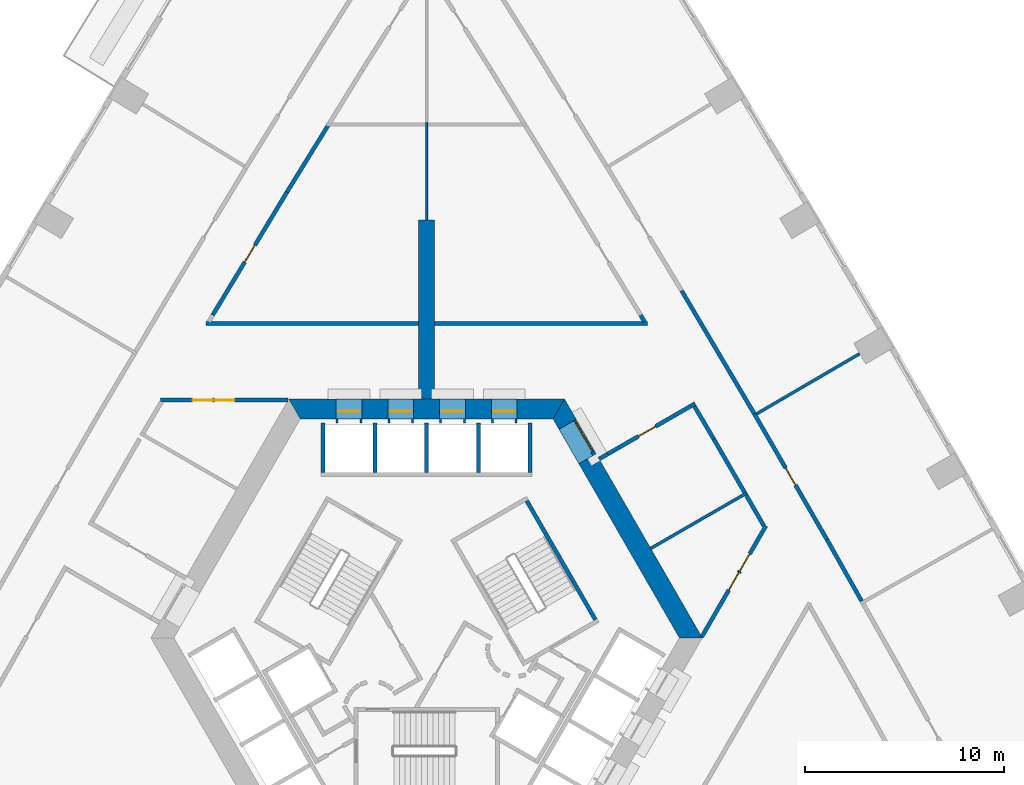
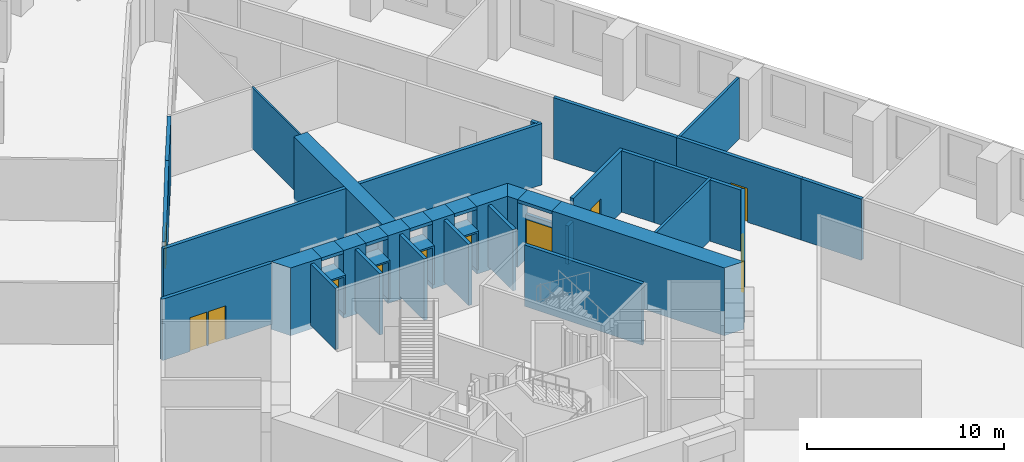
# One storey, part 9 of 15: 42 walls, 12 doors, 12 openings.
"""IFC4 building model written with IfcOpenShell, lengths in metres."""

from ifc_helpers import new_model, si_unit, direction, frame, frame_2d, origin, place, context, subcontext, project, spatial, polyline, rectangle, outline, extrude, material, layer, layer_set, type_object, element, fill, save


model = new_model("IFC4")

# Units and contexts
model_context = context("Model", 3, precision=1e-05, world=origin(), true_north=direction((0.0, 1.0)))
body_context = subcontext(model_context, "Body", "Model", "MODEL_VIEW")
ifc_project = project(units=[si_unit("LENGTHUNIT", "METRE"), si_unit("AREAUNIT", "SQUARE_METRE"), si_unit("VOLUMEUNIT", "CUBIC_METRE"), si_unit("PLANEANGLEUNIT", "RADIAN"), si_unit("MASSUNIT", "GRAM", prefix="KILO")], contexts=[model_context])

# Site, building, storey
site_placement = place(None, origin())
site = spatial("IfcSite", under=ifc_project, at=site_placement, CompositionType="ELEMENT")
building_placement = place(site_placement, origin())
building = spatial("IfcBuilding", under=site, at=building_placement, Name="Entoto Arch Interchange Tower", CompositionType="ELEMENT")
storey_placement = place(building_placement, frame((0.0, 0.0, 56.0)))
storey = spatial("IfcBuildingStorey", under=building, at=storey_placement, Name="L11", CompositionType="ELEMENT", Elevation=56.0)

# Wall
ifc_material_1 = material(Name="Concrete C60/75", Category="concrete")
ifc_layer_1 = layer(ifc_material_1, 0.800048828125)
ifc_layer_set_1 = layer_set([ifc_layer_1], Name="Concrete C60/75")
wall_type_1 = type_object("IfcWallType", Name="Buttress wall 800 C60/75", PredefinedType="SHEAR", material=ifc_layer_set_1)
wall_1_placement = place(storey_placement, frame((0.0, 14.5, -0.39990234375), z_axis=(0.0, 0.0, 1.0), x_axis=(0.0, 1.0, 0.0)))
element("IfcWall", 1, at=wall_1_placement, inside=storey, type_object=wall_type_1, Name="Buttress wall N L11", PredefinedType="SHEAR", context=body_context, shape_type="SweptSolid", body=[
    extrude(rectangle(XDim=9.0, YDim=0.800048828125, at=frame_2d((4.5, 0.0))), origin(), (0.0, 0.0, 1.0), 4.199951171875),
])

# Wall, opening, door
ifc_material_2 = material(Name="Reinforced concrete C40/50", Category="concrete")
ifc_layer_2 = layer(ifc_material_2, 0.199951171875)
ifc_layer_set_2 = layer_set([ifc_layer_2], Name="Reinforced concrete C40/50")
wall_type_2 = type_object("IfcWallType", Name="CORE GAP INFILL WALL", PredefinedType="PARTITIONING", material=ifc_layer_set_2)
wall_2_placement = place(storey_placement, frame((8.429931640625, 11.697998046875, 0.0), z_axis=(0.0, 0.0, 1.0), x_axis=(-0.50002537861, 0.866010750942, 0.0)))
wall_2 = element("IfcWall", 2, at=wall_2_placement, inside=storey, type_object=wall_type_2, Name="wall:L11:gap2", PredefinedType="PARTITIONING", context=body_context, shape_type="SweptSolid", body=[
    extrude(rectangle(XDim=2.0, YDim=0.199951171875, at=frame_2d((1.0, 0.0))), origin(), (0.0, 0.0, 1.0), 2.39990234375),
])
opening_1_placement = place(wall_2_placement, frame((0.18994140625, 0.0, 0.0)))
opening_1 = element("IfcOpeningElement", 3, at=opening_1_placement, cuts=wall_2, Name="Opening L11-D92", PredefinedType="OPENING", context=body_context, shape_type="SweptSolid", body=[
    extrude(rectangle(XDim=1.800048828125, YDim=2.10009765625, at=frame_2d((0.89990234375, 1.050048828125))), frame((0.0, 0.10986328125, 0.0), z_axis=(0.0, -1.0, 0.0), x_axis=(1.0, 0.0, 0.0)), (0.0, 0.0, 1.0), 0.219970703125),
])
ifc_material_3 = material(Name="Fire-rated Steel S235 door and frame", Category="steel")
door_type_1 = type_object("IfcDoorType", Name="DOOR FD-18 1800x2100", OperationType="DOUBLE_DOOR_SINGLE_SWING", PredefinedType="DOOR", material=ifc_material_3)
door_1_placement = place(opening_1_placement, origin())
door_1 = element("IfcDoor", 4, at=door_1_placement, inside=storey, type_object=door_type_1, Name="door:L11:gap2", OperationType="DOUBLE_DOOR_SINGLE_SWING", OverallHeight=2.10009765625, OverallWidth=1.800048828125, PredefinedType="DOOR", context=body_context, shape_type="SweptSolid", body=[
    extrude(rectangle(XDim=1.800048828125, YDim=2.10009765625, at=frame_2d((0.89990234375, 1.050048828125))), frame((0.0, 0.02490234375, 0.0), z_axis=(0.0, -1.0, 0.0), x_axis=(1.0, 0.0, 0.0)), (0.0, 0.0, 1.0), 0.050048828125),
])
fill(opening_1, door_1)

# Walls
ifc_layer_3 = layer(ifc_material_1, 1.0)
ifc_layer_set_3 = layer_set([ifc_layer_3], Name="Concrete C60/75")
wall_type_3 = type_object("IfcWallType", Name="Core wall 1000 C60/75", PredefinedType="SHEAR", material=ifc_layer_set_3)
wall_3_placement = place(storey_placement, frame((0.0, 0.0, -0.39990234375)))
element("IfcWall", 5, at=wall_3_placement, inside=storey, type_object=wall_type_3, Name="Core wall NE L11", PredefinedType="SHEAR", context=body_context, shape_type="SweptSolid", body=[
    extrude(outline(polyline([(8.51708984375, 11.748046875), (7.65087890625, 11.248046875), (12.701904296875, 2.5), (13.85595703125, 2.5), (8.51708984375, 11.748046875)])), origin(), (0.0, 0.0, 1.0), 4.199951171875),
])
wall_4_placement = place(storey_placement, frame((0.0, 0.0, -0.39990234375)))
element("IfcWall", 6, at=wall_4_placement, inside=storey, type_object=wall_type_3, Name="Core wall NE L11", PredefinedType="SHEAR", context=body_context, shape_type="SweptSolid", body=[
    extrude(outline(polyline([(6.65087890625, 12.97998046875), (7.51708984375, 13.47998046875), (6.927978515625, 14.5), (6.35107421875, 13.5), (6.65087890625, 12.97998046875)])), origin(), (0.0, 0.0, 1.0), 4.199951171875),
])
wall_5_placement = place(storey_placement, frame((0.0, 0.0, 3.60009765625)))
element("IfcWall", 7, at=wall_5_placement, inside=storey, type_object=wall_type_3, Name="Core wall lintel NE L11", PredefinedType="SHEAR", context=body_context, shape_type="SweptSolid", body=[
    extrude(outline(polyline([(7.51708984375, 13.47998046875), (6.65087890625, 12.97998046875), (7.65087890625, 11.248046875), (8.51708984375, 11.748046875), (7.51708984375, 13.47998046875)])), origin(), (0.0, 0.0, 1.0), 0.199951171875),
])
wall_6_placement = place(storey_placement, frame((0.0, 0.0, -0.39990234375)))
element("IfcWall", 8, at=wall_6_placement, inside=storey, type_object=wall_type_3, Name="Core wall N L11", PredefinedType="SHEAR", context=body_context, shape_type="SweptSolid", body=[
    extrude(outline(polyline([(4.550048828125, 14.5), (4.550048828125, 13.5), (6.35107421875, 13.5), (6.927978515625, 14.5), (4.550048828125, 14.5)])), origin(), (0.0, 0.0, 1.0), 4.199951171875),
])
wall_7_placement = place(storey_placement, frame((0.0, 0.0, -0.39990234375)))
element("IfcWall", 9, at=wall_7_placement, inside=storey, type_object=wall_type_3, Name="Core wall N L11", PredefinedType="SHEAR", context=body_context, shape_type="SweptSolid", body=[
    extrude(outline(polyline([(1.949951171875, 14.5), (1.949951171875, 13.5), (3.25, 13.5), (3.25, 14.5), (1.949951171875, 14.5)])), origin(), (0.0, 0.0, 1.0), 4.199951171875),
])
wall_8_placement = place(storey_placement, frame((0.0, 0.0, -0.39990234375)))
element("IfcWall", 10, at=wall_8_placement, inside=storey, type_object=wall_type_3, Name="Core wall N L11", PredefinedType="SHEAR", context=body_context, shape_type="SweptSolid", body=[
    extrude(outline(polyline([(-0.64990234375, 14.5), (-0.64990234375, 13.5), (0.64990234375, 13.5), (0.64990234375, 14.5), (-0.64990234375, 14.5)])), origin(), (0.0, 0.0, 1.0), 4.199951171875),
])
wall_9_placement = place(storey_placement, frame((0.0, 0.0, -0.39990234375)))
element("IfcWall", 11, at=wall_9_placement, inside=storey, type_object=wall_type_3, Name="Core wall N L11", PredefinedType="SHEAR", context=body_context, shape_type="SweptSolid", body=[
    extrude(outline(polyline([(-3.25, 14.5), (-3.25, 13.5), (-1.949951171875, 13.5), (-1.949951171875, 14.5), (-3.25, 14.5)])), origin(), (0.0, 0.0, 1.0), 4.199951171875),
])
wall_10_placement = place(storey_placement, frame((0.0, 0.0, -0.39990234375)))
element("IfcWall", 12, at=wall_10_placement, inside=storey, type_object=wall_type_3, Name="Core wall N L11", PredefinedType="SHEAR", context=body_context, shape_type="SweptSolid", body=[
    extrude(outline(polyline([(-4.550048828125, 13.5), (-4.550048828125, 14.5), (-6.927978515625, 14.5), (-6.35107421875, 13.5), (-4.550048828125, 13.5)])), origin(), (0.0, 0.0, 1.0), 4.199951171875),
])
wall_11_placement = place(storey_placement, frame((0.0, 0.0, 3.60009765625)))
element("IfcWall", 13, at=wall_11_placement, inside=storey, type_object=wall_type_3, Name="Core wall lintel N L11", PredefinedType="SHEAR", context=body_context, shape_type="SweptSolid", body=[
    extrude(outline(polyline([(3.25, 14.5), (3.25, 13.5), (4.550048828125, 13.5), (4.550048828125, 14.5), (3.25, 14.5)])), origin(), (0.0, 0.0, 1.0), 0.199951171875),
])
wall_12_placement = place(storey_placement, frame((0.0, 0.0, 3.60009765625)))
element("IfcWall", 14, at=wall_12_placement, inside=storey, type_object=wall_type_3, Name="Core wall lintel N L11", PredefinedType="SHEAR", context=body_context, shape_type="SweptSolid", body=[
    extrude(outline(polyline([(0.64990234375, 14.5), (0.64990234375, 13.5), (1.949951171875, 13.5), (1.949951171875, 14.5), (0.64990234375, 14.5)])), origin(), (0.0, 0.0, 1.0), 0.199951171875),
])
wall_13_placement = place(storey_placement, frame((0.0, 0.0, 3.60009765625)))
element("IfcWall", 15, at=wall_13_placement, inside=storey, type_object=wall_type_3, Name="Core wall lintel N L11", PredefinedType="SHEAR", context=body_context, shape_type="SweptSolid", body=[
    extrude(outline(polyline([(-1.949951171875, 14.5), (-1.949951171875, 13.5), (-0.64990234375, 13.5), (-0.64990234375, 14.5), (-1.949951171875, 14.5)])), origin(), (0.0, 0.0, 1.0), 0.199951171875),
])
wall_14_placement = place(storey_placement, frame((0.0, 0.0, 3.60009765625)))
element("IfcWall", 16, at=wall_14_placement, inside=storey, type_object=wall_type_3, Name="Core wall lintel N L11", PredefinedType="SHEAR", context=body_context, shape_type="SweptSolid", body=[
    extrude(outline(polyline([(-4.550048828125, 14.5), (-4.550048828125, 13.5), (-3.25, 13.5), (-3.25, 14.5), (-4.550048828125, 14.5)])), origin(), (0.0, 0.0, 1.0), 0.199951171875),
])

# Wall, opening, door
ifc_material_4 = material(Name="Concrete C40/50", Category="concrete")
ifc_layer_4 = layer(ifc_material_4, 1.199951171875)
ifc_layer_set_4 = layer_set([ifc_layer_4], Name="Concrete C40/50")
wall_type_4 = type_object("IfcWallType", Name="LIFT LANDING INFILL WALL", PredefinedType="STANDARD", material=ifc_layer_set_4)
wall_15_placement = place(storey_placement, frame((4.550048828125, 13.89990234375, 0.0), z_axis=(0.0, 0.0, 1.0), x_axis=(-1.0, 0.0, 0.0)))
wall_15 = element("IfcWall", 17, at=wall_15_placement, inside=storey, type_object=wall_type_4, Name="Lift landing infill wall LR1 L11", PredefinedType="STANDARD", context=body_context, shape_type="SweptSolid", body=[
    extrude(rectangle(XDim=1.300048828125, YDim=1.199951171875, at=frame_2d((0.64990234375, 0.0))), origin(), (0.0, 0.0, 1.0), 2.39990234375),
])
opening_2_placement = place(wall_15_placement, frame((0.10009765625, 0.0, 0.0)))
opening_2 = element("IfcOpeningElement", 18, at=opening_2_placement, cuts=wall_15, Name="Opening LD-LR1-L11", PredefinedType="OPENING", context=body_context, shape_type="SweptSolid", body=[
    extrude(rectangle(XDim=1.10009765625, YDim=2.300048828125, at=frame_2d((0.550048828125, 1.14990234375))), frame((0.0, 0.60986328125, 0.0), z_axis=(0.0, -1.0, 0.0), x_axis=(1.0, 0.0, 0.0)), (0.0, 0.0, 1.0), 1.219970703125),
])
ifc_material_5 = material(Name="Stainless steel 1.4301 panels", Category="steel")
door_type_2 = type_object("IfcDoorType", Name="LIFT LANDING DOOR LD2 1100x2300", OperationType="SLIDING_TO_LEFT", PredefinedType="DOOR", material=ifc_material_5)
door_2_placement = place(opening_2_placement, origin())
door_2 = element("IfcDoor", 19, at=door_2_placement, inside=storey, type_object=door_type_2, Name="Lift landing door LR1 L11", OperationType="SLIDING_TO_LEFT", OverallHeight=2.300048828125, OverallWidth=1.10009765625, PredefinedType="DOOR", context=body_context, shape_type="SweptSolid", body=[
    extrude(rectangle(XDim=1.10009765625, YDim=2.300048828125, at=frame_2d((0.550048828125, 1.14990234375))), frame((0.0, 0.02490234375, 0.0), z_axis=(0.0, -1.0, 0.0), x_axis=(1.0, 0.0, 0.0)), (0.0, 0.0, 1.0), 0.050048828125),
])
fill(opening_2, door_2)

wall_16_placement = place(storey_placement, frame((1.949951171875, 13.89990234375, 0.0), z_axis=(0.0, 0.0, 1.0), x_axis=(-1.0, 0.0, 0.0)))
wall_16 = element("IfcWall", 20, at=wall_16_placement, inside=storey, type_object=wall_type_4, Name="Lift landing infill wall LR2 L11", PredefinedType="STANDARD", context=body_context, shape_type="SweptSolid", body=[
    extrude(rectangle(XDim=1.300048828125, YDim=1.199951171875, at=frame_2d((0.64990234375, 0.0))), origin(), (0.0, 0.0, 1.0), 2.39990234375),
])
opening_3_placement = place(wall_16_placement, frame((0.10009765625, 0.0, 0.0)))
opening_3 = element("IfcOpeningElement", 21, at=opening_3_placement, cuts=wall_16, Name="Opening LD-LR2-L11", PredefinedType="OPENING", context=body_context, shape_type="SweptSolid", body=[
    extrude(rectangle(XDim=1.10009765625, YDim=2.300048828125, at=frame_2d((0.550048828125, 1.14990234375))), frame((0.0, 0.60986328125, 0.0), z_axis=(0.0, -1.0, 0.0), x_axis=(1.0, 0.0, 0.0)), (0.0, 0.0, 1.0), 1.219970703125),
])
door_3_placement = place(opening_3_placement, origin())
door_3 = element("IfcDoor", 22, at=door_3_placement, inside=storey, type_object=door_type_2, Name="Lift landing door LR2 L11", OperationType="SLIDING_TO_LEFT", OverallHeight=2.300048828125, OverallWidth=1.10009765625, PredefinedType="DOOR", context=body_context, shape_type="SweptSolid", body=[
    extrude(rectangle(XDim=1.10009765625, YDim=2.300048828125, at=frame_2d((0.550048828125, 1.14990234375))), frame((0.0, 0.02490234375, 0.0), z_axis=(0.0, -1.0, 0.0), x_axis=(1.0, 0.0, 0.0)), (0.0, 0.0, 1.0), 0.050048828125),
])
fill(opening_3, door_3)

wall_17_placement = place(storey_placement, frame((-0.64990234375, 13.89990234375, 0.0), z_axis=(0.0, 0.0, 1.0), x_axis=(-1.0, 0.0, 0.0)))
wall_17 = element("IfcWall", 23, at=wall_17_placement, inside=storey, type_object=wall_type_4, Name="Lift landing infill wall LR3 L11", PredefinedType="STANDARD", context=body_context, shape_type="SweptSolid", body=[
    extrude(rectangle(XDim=1.300048828125, YDim=1.199951171875, at=frame_2d((0.64990234375, 0.0))), origin(), (0.0, 0.0, 1.0), 2.39990234375),
])
opening_4_placement = place(wall_17_placement, frame((0.10009765625, 0.0, 0.0)))
opening_4 = element("IfcOpeningElement", 24, at=opening_4_placement, cuts=wall_17, Name="Opening LD-LR3-L11", PredefinedType="OPENING", context=body_context, shape_type="SweptSolid", body=[
    extrude(rectangle(XDim=1.10009765625, YDim=2.300048828125, at=frame_2d((0.550048828125, 1.14990234375))), frame((0.0, 0.60986328125, 0.0), z_axis=(0.0, -1.0, 0.0), x_axis=(1.0, 0.0, 0.0)), (0.0, 0.0, 1.0), 1.219970703125),
])
door_4_placement = place(opening_4_placement, origin())
door_4 = element("IfcDoor", 25, at=door_4_placement, inside=storey, type_object=door_type_2, Name="Lift landing door LR3 L11", OperationType="SLIDING_TO_LEFT", OverallHeight=2.300048828125, OverallWidth=1.10009765625, PredefinedType="DOOR", context=body_context, shape_type="SweptSolid", body=[
    extrude(rectangle(XDim=1.10009765625, YDim=2.300048828125, at=frame_2d((0.550048828125, 1.14990234375))), frame((0.0, 0.02490234375, 0.0), z_axis=(0.0, -1.0, 0.0), x_axis=(1.0, 0.0, 0.0)), (0.0, 0.0, 1.0), 0.050048828125),
])
fill(opening_4, door_4)

wall_18_placement = place(storey_placement, frame((-3.25, 13.89990234375, 0.0), z_axis=(0.0, 0.0, 1.0), x_axis=(-1.0, 0.0, 0.0)))
wall_18 = element("IfcWall", 26, at=wall_18_placement, inside=storey, type_object=wall_type_4, Name="Lift landing infill wall LR4 L11", PredefinedType="STANDARD", context=body_context, shape_type="SweptSolid", body=[
    extrude(rectangle(XDim=1.300048828125, YDim=1.199951171875, at=frame_2d((0.64990234375, 0.0))), origin(), (0.0, 0.0, 1.0), 2.39990234375),
])
opening_5_placement = place(wall_18_placement, frame((0.10009765625, 0.0, 0.0)))
opening_5 = element("IfcOpeningElement", 27, at=opening_5_placement, cuts=wall_18, Name="Opening LD-LR4-L11", PredefinedType="OPENING", context=body_context, shape_type="SweptSolid", body=[
    extrude(rectangle(XDim=1.10009765625, YDim=2.300048828125, at=frame_2d((0.550048828125, 1.14990234375))), frame((0.0, 0.60986328125, 0.0), z_axis=(0.0, -1.0, 0.0), x_axis=(1.0, 0.0, 0.0)), (0.0, 0.0, 1.0), 1.219970703125),
])
door_5_placement = place(opening_5_placement, origin())
door_5 = element("IfcDoor", 28, at=door_5_placement, inside=storey, type_object=door_type_2, Name="Lift landing door LR4 L11", OperationType="SLIDING_TO_LEFT", OverallHeight=2.300048828125, OverallWidth=1.10009765625, PredefinedType="DOOR", context=body_context, shape_type="SweptSolid", body=[
    extrude(rectangle(XDim=1.10009765625, YDim=2.300048828125, at=frame_2d((0.550048828125, 1.14990234375))), frame((0.0, 0.02490234375, 0.0), z_axis=(0.0, -1.0, 0.0), x_axis=(1.0, 0.0, 0.0)), (0.0, 0.0, 1.0), 0.050048828125),
])
fill(opening_5, door_5)

# Walls
ifc_layer_5 = layer(ifc_material_4, 0.199951171875)
ifc_layer_set_5 = layer_set([ifc_layer_5], Name="Concrete C40/50")
wall_type_5 = type_object("IfcWallType", Name="LIFT SHAFT WALL 200", PredefinedType="STANDARD", material=ifc_layer_set_5)
for number, where, z_axis, x_axis, name in (
    (29, (5.199951171875, 10.800048828125, 0.0), (0.0, 0.0, 1.0), (0.0, 1.0, 0.0), "Shaft wall N3 cross 1"),
    (30, (2.60009765625, 10.800048828125, 0.0), (0.0, 0.0, 1.0), (0.0, 1.0, 0.0), "Shaft wall N3 cross 2"),
    (31, (0.0, 10.800048828125, 0.0), (0.0, 0.0, 1.0), (0.0, 1.0, 0.0), "Shaft wall N3 cross 3"),
    (32, (-2.60009765625, 10.800048828125, 0.0), (0.0, 0.0, 1.0), (0.0, 1.0, 0.0), "Shaft wall N3 cross 4"),
    (33, (-5.199951171875, 10.800048828125, 0.0), (0.0, 0.0, 1.0), (0.0, 1.0, 0.0), "Shaft wall N3 cross 5"),
):
    element("IfcWall", number, at=place(storey_placement, frame(where, z_axis=z_axis, x_axis=x_axis)), inside=storey, type_object=wall_type_5, Name=name, PredefinedType="STANDARD", context=body_context, shape_type="SweptSolid", body=[
        extrude(rectangle(XDim=2.5, YDim=0.199951171875, at=frame_2d((1.25, 0.0))), origin(), (0.0, 0.0, 1.0), 3.800048828125),
    ])
ifc_material_6 = material(Name="Gypsum board partition on steel studs", Category="steel")
ifc_layer_6 = layer(ifc_material_6, 0.10009765625)
ifc_layer_set_6 = layer_set([ifc_layer_6], Name="Gypsum board partition on steel studs")
wall_type_6 = type_object("IfcWallType", Name="PARTITION 100", PredefinedType="PARTITIONING", material=ifc_layer_set_6)
wall_19_placement = place(storey_placement, frame((0.0, 23.5, 0.0), z_axis=(0.0, 0.0, 1.0), x_axis=(0.0, 1.0, 0.0)))
element("IfcWall", 34, at=wall_19_placement, inside=storey, type_object=wall_type_6, Name="wall:L11:p119", PredefinedType="PARTITIONING", context=body_context, shape_type="SweptSolid", body=[
    extrude(rectangle(XDim=4.875, YDim=0.10009765625, at=frame_2d((2.4375, 0.0))), origin(), (0.0, 0.0, 1.0), 3.800048828125),
])
ifc_layer_7 = layer(ifc_material_6, 0.14990234375)
ifc_layer_set_7 = layer_set([ifc_layer_7], Name="Gypsum board partition on steel studs")
wall_type_7 = type_object("IfcWallType", Name="PARTITION 150", PredefinedType="PARTITIONING", material=ifc_layer_set_7)
wall_20_placement = place(storey_placement, frame((16.10400390625, 9.7900390625, 0.0), z_axis=(0.0, 0.0, 1.0), x_axis=(-0.866023462144, -0.500003363005, 0.0)))
element("IfcWall", 35, at=wall_20_placement, inside=storey, type_object=wall_type_7, Name="wall:L11:p092", PredefinedType="PARTITIONING", context=body_context, shape_type="SweptSolid", body=[
    extrude(rectangle(XDim=5.59228515625, YDim=0.14990234375, at=frame_2d((2.796142578125, 0.0))), origin(), (0.0, 0.0, 1.0), 3.800048828125),
])
wall_21_placement = place(storey_placement, frame((16.583984375, 13.757080078125, 0.0), z_axis=(0.0, 0.0, 1.0), x_axis=(0.863565634474, 0.504236447469, 0.0)))
element("IfcWall", 36, at=wall_21_placement, inside=storey, type_object=wall_type_7, Name="wall:L11:p136", PredefinedType="PARTITIONING", context=body_context, shape_type="SweptSolid", body=[
    extrude(rectangle(XDim=5.98095703125, YDim=0.14990234375, at=frame_2d((2.990478515625, 0.0))), origin(), (0.0, 0.0, 1.0), 3.800048828125),
])
ifc_layer_8 = layer(ifc_material_6, 0.199951171875)
ifc_layer_set_8 = layer_set([ifc_layer_8], Name="Gypsum board partition on steel studs")
wall_type_8 = type_object("IfcWallType", Name="PARTITION 200", PredefinedType="PARTITIONING", material=ifc_layer_set_8)
wall_22_placement = place(storey_placement, frame((15.97998046875, 9.804931640625, 0.0), z_axis=(0.0, 0.0, 1.0), x_axis=(-0.500150684419, 0.865938388614, 0.0)))
element("IfcWall", 37, at=wall_22_placement, inside=storey, type_object=wall_type_8, Name="wall:L11:p004", PredefinedType="PARTITIONING", context=body_context, shape_type="SweptSolid", body=[
    extrude(rectangle(XDim=3.10888671875, YDim=0.199951171875, at=frame_2d((1.554443359375, 0.0))), origin(), (0.0, 0.0, 1.0), 3.800048828125),
])
wall_23_placement = place(storey_placement, frame((14.425048828125, 12.4970703125, 0.0), z_axis=(0.0, 0.0, 1.0), x_axis=(-0.508111788435, 0.861291129905, 0.0)))
element("IfcWall", 38, at=wall_23_placement, inside=storey, type_object=wall_type_8, Name="wall:L11:p005", PredefinedType="PARTITIONING", context=body_context, shape_type="SweptSolid", body=[
    extrude(rectangle(XDim=1.905029296875, YDim=0.199951171875, at=frame_2d((0.95263671875, 0.0))), origin(), (0.0, 0.0, 1.0), 3.800048828125),
])

# Wall, opening, door
wall_24_placement = place(storey_placement, frame((13.491943359375, 14.27392578125, 0.0), z_axis=(0.0, 0.0, 1.0), x_axis=(-0.866003598361, -0.5000377662, 0.0)))
wall_24 = element("IfcWall", 39, at=wall_24_placement, inside=storey, type_object=wall_type_8, Name="wall:L11:p006", PredefinedType="PARTITIONING", context=body_context, shape_type="SweptSolid", body=[
    extrude(rectangle(XDim=5.0712890625, YDim=0.199951171875, at=frame_2d((2.53564453125, 0.0))), origin(), (0.0, 0.0, 1.0), 3.800048828125),
])
opening_6_placement = place(wall_24_placement, frame((2.285888671875, 0.0, 0.0)))
opening_6 = element("IfcOpeningElement", 40, at=opening_6_placement, cuts=wall_24, Name="Opening L11-D29", PredefinedType="OPENING", context=body_context, shape_type="SweptSolid", body=[
    extrude(rectangle(XDim=1.0, YDim=2.10009765625, at=frame_2d((0.5, 1.050048828125))), frame((0.0, 0.10986328125, 0.0), z_axis=(0.0, -1.0, 0.0), x_axis=(1.0, 0.0, 0.0)), (0.0, 0.0, 1.0), 0.219970703125),
])
ifc_material_7 = material(Name="Timber door leaf in Steel S235 frame", Category="steel")
door_type_3 = type_object("IfcDoorType", Name="DOOR DS-10 1000x2100", OperationType="SINGLE_SWING_LEFT", PredefinedType="DOOR", material=ifc_material_7)
door_6_placement = place(opening_6_placement, origin())
door_6 = element("IfcDoor", 41, at=door_6_placement, inside=storey, type_object=door_type_3, Name="door:L11:29", OperationType="SINGLE_SWING_LEFT", OverallHeight=2.10009765625, OverallWidth=1.0, PredefinedType="DOOR", context=body_context, shape_type="SweptSolid", body=[
    extrude(rectangle(XDim=1.0, YDim=2.10009765625, at=frame_2d((0.5, 1.050048828125))), frame((0.0, 0.02490234375, 0.0), z_axis=(0.0, -1.0, 0.0), x_axis=(1.0, 0.0, 0.0)), (0.0, 0.0, 1.0), 0.050048828125),
])
fill(opening_6, door_6)

# Walls
wall_25_placement = place(storey_placement, frame((16.947998046875, 8.1279296875, 0.0), z_axis=(0.0, 0.0, 1.0), x_axis=(-0.499931460552, 0.866064971437, 0.0)))
element("IfcWall", 42, at=wall_25_placement, inside=storey, type_object=wall_type_8, Name="wall:L11:p007", PredefinedType="PARTITIONING", context=body_context, shape_type="SweptSolid", body=[
    extrude(rectangle(XDim=1.786376953125, YDim=0.199951171875, at=frame_2d((0.89306640625, 0.0))), origin(), (0.0, 0.0, 1.0), 3.800048828125),
])
wall_26_placement = place(storey_placement, frame((10.947998046875, 18.385986328125, 0.0), z_axis=(0.0, 0.0, 1.0), x_axis=(-0.506880801681, 0.862016155815, 0.0)))
element("IfcWall", 43, at=wall_26_placement, inside=storey, type_object=wall_type_8, Name="wall:L11:p008", PredefinedType="PARTITIONING", context=body_context, shape_type="SweptSolid", body=[
    extrude(rectangle(XDim=0.3828125, YDim=0.199951171875, at=frame_2d((0.19140625, 0.0))), origin(), (0.0, 0.0, 1.0), 3.800048828125),
])
wall_27_placement = place(storey_placement, frame((-4.962890625, 28.236083984375, 0.0), z_axis=(0.0, 0.0, 1.0), x_axis=(-0.525104448775, -0.851037788748, 0.0)))
element("IfcWall", 44, at=wall_27_placement, inside=storey, type_object=wall_type_8, Name="wall:L11:p011", PredefinedType="PARTITIONING", context=body_context, shape_type="SweptSolid", body=[
    extrude(rectangle(XDim=3.92138671875, YDim=0.199951171875, at=frame_2d((1.960693359375, 0.0))), origin(), (0.0, 0.0, 1.0), 3.800048828125),
])

# Wall, opening, door
wall_28_placement = place(storey_placement, frame((-7.02197265625, 24.89892578125, 0.0), z_axis=(0.0, 0.0, 1.0), x_axis=(-0.516755973305, -0.856132737403, 0.0)))
wall_28 = element("IfcWall", 45, at=wall_28_placement, inside=storey, type_object=wall_type_8, Name="wall:L11:p012", PredefinedType="PARTITIONING", context=body_context, shape_type="SweptSolid", body=[
    extrude(rectangle(XDim=7.221923828125, YDim=0.199951171875, at=frame_2d((3.61083984375, 0.0))), origin(), (0.0, 0.0, 1.0), 3.800048828125),
])
opening_7_placement = place(wall_28_placement, frame((3.111083984375, 0.0, 0.0)))
opening_7 = element("IfcOpeningElement", 46, at=opening_7_placement, cuts=wall_28, Name="Opening L11-D18", PredefinedType="OPENING", context=body_context, shape_type="SweptSolid", body=[
    extrude(rectangle(XDim=1.0, YDim=2.10009765625, at=frame_2d((0.5, 1.050048828125))), frame((0.0, 0.10986328125, 0.0), z_axis=(0.0, -1.0, 0.0), x_axis=(1.0, 0.0, 0.0)), (0.0, 0.0, 1.0), 0.219970703125),
])
door_7_placement = place(opening_7_placement, origin())
door_7 = element("IfcDoor", 47, at=door_7_placement, inside=storey, type_object=door_type_3, Name="door:L11:18", OperationType="SINGLE_SWING_LEFT", OverallHeight=2.10009765625, OverallWidth=1.0, PredefinedType="DOOR", context=body_context, shape_type="SweptSolid", body=[
    extrude(rectangle(XDim=1.0, YDim=2.10009765625, at=frame_2d((0.5, 1.050048828125))), frame((0.0, 0.02490234375, 0.0), z_axis=(0.0, -1.0, 0.0), x_axis=(1.0, 0.0, 0.0)), (0.0, 0.0, 1.0), 0.050048828125),
])
fill(opening_7, door_7)

wall_29_placement = place(storey_placement, frame((16.4599609375, 13.77197265625, 0.0), z_axis=(0.0, 0.0, 1.0), x_axis=(0.500099745063, -0.865967808286, 0.0)))
wall_29 = element("IfcWall", 48, at=wall_29_placement, inside=storey, type_object=wall_type_8, Name="wall:L11:p049", PredefinedType="PARTITIONING", context=body_context, shape_type="SweptSolid", body=[
    extrude(rectangle(XDim=7.31884765625, YDim=0.199951171875, at=frame_2d((3.659423828125, 0.0))), origin(), (0.0, 0.0, 1.0), 3.800048828125),
])
opening_8_placement = place(wall_29_placement, frame((3.158935546875, 0.0, 0.0)))
opening_8 = element("IfcOpeningElement", 49, at=opening_8_placement, cuts=wall_29, Name="Opening L11-D05", PredefinedType="OPENING", context=body_context, shape_type="SweptSolid", body=[
    extrude(rectangle(XDim=1.0, YDim=2.10009765625, at=frame_2d((0.5, 1.050048828125))), frame((0.0, 0.10986328125, 0.0), z_axis=(0.0, -1.0, 0.0), x_axis=(1.0, 0.0, 0.0)), (0.0, 0.0, 1.0), 0.219970703125),
])
door_8_placement = place(opening_8_placement, origin())
door_8 = element("IfcDoor", 50, at=door_8_placement, inside=storey, type_object=door_type_3, Name="door:L11:05", OperationType="SINGLE_SWING_LEFT", OverallHeight=2.10009765625, OverallWidth=1.0, PredefinedType="DOOR", context=body_context, shape_type="SweptSolid", body=[
    extrude(rectangle(XDim=1.0, YDim=2.10009765625, at=frame_2d((0.5, 1.050048828125))), frame((0.0, 0.02490234375, 0.0), z_axis=(0.0, -1.0, 0.0), x_axis=(1.0, 0.0, 0.0)), (0.0, 0.0, 1.0), 0.050048828125),
])
fill(opening_8, door_8)

# Walls
wall_30_placement = place(storey_placement, frame((20.1201171875, 7.43408203125, 0.0), z_axis=(0.0, 0.0, 1.0), x_axis=(0.491394823876, -0.87093692485, 0.0)))
element("IfcWall", 51, at=wall_30_placement, inside=storey, type_object=wall_type_8, Name="wall:L11:p050", PredefinedType="PARTITIONING", context=body_context, shape_type="SweptSolid", body=[
    extrude(rectangle(XDim=3.546875, YDim=0.199951171875, at=frame_2d((1.7734375, 0.0))), origin(), (0.0, 0.0, 1.0), 3.800048828125),
])
wall_31_placement = place(storey_placement, frame((12.81494140625, 19.946044921875, 0.0), z_axis=(0.0, 0.0, 1.0), x_axis=(0.508287536166, -0.861187424768, 0.0)))
element("IfcWall", 52, at=wall_31_placement, inside=storey, type_object=wall_type_8, Name="wall:L11:p052", PredefinedType="PARTITIONING", context=body_context, shape_type="SweptSolid", body=[
    extrude(rectangle(XDim=7.169189453125, YDim=0.199951171875, at=frame_2d((3.58447265625, 0.0))), origin(), (0.0, 0.0, 1.0), 3.800048828125),
])

# Wall, openings, doors
wall_32_placement = place(storey_placement, frame((-6.95703125, 14.449951171875, 0.0), z_axis=(0.0, 0.0, 1.0), x_axis=(-1.0, 0.0, 0.0)))
wall_32 = element("IfcWall", 53, at=wall_32_placement, inside=storey, type_object=wall_type_8, Name="wall:L11:p091", PredefinedType="PARTITIONING", context=body_context, shape_type="SweptSolid", body=[
    extrude(rectangle(XDim=6.4150390625, YDim=0.199951171875, at=frame_2d((3.20751953125, 0.0))), origin(), (0.0, 0.0, 1.0), 3.800048828125),
])
opening_9_placement = place(wall_32_placement, frame((2.7080078125, 0.0, 0.0)))
opening_9 = element("IfcOpeningElement", 54, at=opening_9_placement, cuts=wall_32, Name="Opening L11-D28", PredefinedType="OPENING", context=body_context, shape_type="SweptSolid", body=[
    extrude(rectangle(XDim=1.0, YDim=2.10009765625, at=frame_2d((0.5, 1.050048828125))), frame((0.0, 0.10986328125, 0.0), z_axis=(0.0, -1.0, 0.0), x_axis=(1.0, 0.0, 0.0)), (0.0, 0.0, 1.0), 0.219970703125),
])
opening_10_placement = place(wall_32_placement, frame((3.80810546875, 0.0, 0.0)))
opening_10 = element("IfcOpeningElement", 55, at=opening_10_placement, cuts=wall_32, Name="Opening L11-D35", PredefinedType="OPENING", context=body_context, shape_type="SweptSolid", body=[
    extrude(rectangle(XDim=1.0, YDim=2.10009765625, at=frame_2d((0.5, 1.050048828125))), frame((0.0, 0.10986328125, 0.0), z_axis=(0.0, -1.0, 0.0), x_axis=(1.0, 0.0, 0.0)), (0.0, 0.0, 1.0), 0.219970703125),
])
door_9_placement = place(opening_9_placement, origin())
door_9 = element("IfcDoor", 56, at=door_9_placement, inside=storey, type_object=door_type_3, Name="door:L11:28", OperationType="SINGLE_SWING_LEFT", OverallHeight=2.10009765625, OverallWidth=1.0, PredefinedType="DOOR", context=body_context, shape_type="SweptSolid", body=[
    extrude(rectangle(XDim=1.0, YDim=2.10009765625, at=frame_2d((0.5, 1.050048828125))), frame((0.0, 0.02490234375, 0.0), z_axis=(0.0, -1.0, 0.0), x_axis=(1.0, 0.0, 0.0)), (0.0, 0.0, 1.0), 0.050048828125),
])
fill(opening_9, door_9)
door_10_placement = place(opening_10_placement, origin())
door_10 = element("IfcDoor", 57, at=door_10_placement, inside=storey, type_object=door_type_3, Name="door:L11:35", OperationType="SINGLE_SWING_RIGHT", OverallHeight=2.10009765625, OverallWidth=1.0, PredefinedType="DOOR", context=body_context, shape_type="SweptSolid", body=[
    extrude(rectangle(XDim=1.0, YDim=2.10009765625, at=frame_2d((0.5, 1.050048828125))), frame((0.0, 0.02490234375, 0.0), z_axis=(0.0, -1.0, 0.0), x_axis=(1.0, 0.0, 0.0)), (0.0, 0.0, 1.0), 0.050048828125),
])
fill(opening_10, door_10)

wall_33_placement = place(storey_placement, frame((13.826904296875, 2.550048828125, 0.0), z_axis=(0.0, 0.0, 1.0), x_axis=(0.500093193185, 0.865971591988, 0.0)))
wall_33 = element("IfcWall", 58, at=wall_33_placement, inside=storey, type_object=wall_type_8, Name="wall:L11:p093", PredefinedType="PARTITIONING", context=body_context, shape_type="SweptSolid", body=[
    extrude(rectangle(XDim=6.441162109375, YDim=0.199951171875, at=frame_2d((3.220703125, 0.0))), origin(), (0.0, 0.0, 1.0), 3.800048828125),
])
opening_11_placement = place(wall_33_placement, frame((2.720947265625, 0.0, 0.0)))
opening_11 = element("IfcOpeningElement", 59, at=opening_11_placement, cuts=wall_33, Name="Opening L11-D30", PredefinedType="OPENING", context=body_context, shape_type="SweptSolid", body=[
    extrude(rectangle(XDim=1.0, YDim=2.10009765625, at=frame_2d((0.5, 1.050048828125))), frame((0.0, 0.10986328125, 0.0), z_axis=(0.0, -1.0, 0.0), x_axis=(1.0, 0.0, 0.0)), (0.0, 0.0, 1.0), 0.219970703125),
])
opening_12_placement = place(wall_33_placement, frame((3.821044921875, 0.0, 0.0)))
opening_12 = element("IfcOpeningElement", 60, at=opening_12_placement, cuts=wall_33, Name="Opening L11-D36", PredefinedType="OPENING", context=body_context, shape_type="SweptSolid", body=[
    extrude(rectangle(XDim=1.0, YDim=2.10009765625, at=frame_2d((0.5, 1.050048828125))), frame((0.0, 0.10986328125, 0.0), z_axis=(0.0, -1.0, 0.0), x_axis=(1.0, 0.0, 0.0)), (0.0, 0.0, 1.0), 0.219970703125),
])
door_11_placement = place(opening_11_placement, origin())
door_11 = element("IfcDoor", 61, at=door_11_placement, inside=storey, type_object=door_type_3, Name="door:L11:30", OperationType="SINGLE_SWING_LEFT", OverallHeight=2.10009765625, OverallWidth=1.0, PredefinedType="DOOR", context=body_context, shape_type="SweptSolid", body=[
    extrude(rectangle(XDim=1.0, YDim=2.10009765625, at=frame_2d((0.5, 1.050048828125))), frame((0.0, 0.02490234375, 0.0), z_axis=(0.0, -1.0, 0.0), x_axis=(1.0, 0.0, 0.0)), (0.0, 0.0, 1.0), 0.050048828125),
])
fill(opening_11, door_11)
door_12_placement = place(opening_12_placement, origin())
door_12 = element("IfcDoor", 62, at=door_12_placement, inside=storey, type_object=door_type_3, Name="door:L11:36", OperationType="SINGLE_SWING_RIGHT", OverallHeight=2.10009765625, OverallWidth=1.0, PredefinedType="DOOR", context=body_context, shape_type="SweptSolid", body=[
    extrude(rectangle(XDim=1.0, YDim=2.10009765625, at=frame_2d((0.5, 1.050048828125))), frame((0.0, 0.02490234375, 0.0), z_axis=(0.0, -1.0, 0.0), x_axis=(1.0, 0.0, 0.0)), (0.0, 0.0, 1.0), 0.050048828125),
])
fill(opening_12, door_12)

# Walls
for number, where, z_axis, x_axis, name in (
    (63, (0.39990234375, 18.300048828125, 0.0), (0.0, 0.0, 1.0), (1.0, 0.0, 0.0), "wall:L11:p116"),
    (64, (-11.09912109375, 18.300048828125, 0.0), (0.0, 0.0, 1.0), (1.0, 0.0, 0.0), "wall:L11:p117"),
):
    element("IfcWall", number, at=place(storey_placement, frame(where, z_axis=z_axis, x_axis=x_axis)), inside=storey, type_object=wall_type_8, Name=name, PredefinedType="PARTITIONING", context=body_context, shape_type="SweptSolid", body=[
        extrude(rectangle(XDim=10.69921875, YDim=0.199951171875, at=frame_2d((5.349609375, 0.0))), origin(), (0.0, 0.0, 1.0), 3.800048828125),
    ])
wall_34_placement = place(storey_placement, frame((9.10009765625, 11.738037109375, 0.0), z_axis=(0.0, 0.0, 1.0), x_axis=(-0.866071776036, -0.499919672301, 0.0)))
element("IfcWall", 65, at=wall_34_placement, inside=storey, type_object=wall_type_8, Name="wall:L11:p006", PredefinedType="PARTITIONING", context=body_context, shape_type="SweptSolid", body=[
    extrude(rectangle(XDim=0.5, YDim=0.199951171875, at=frame_2d((0.25, 0.0))), origin(), (0.0, 0.0, 1.0), 2.39990234375),
])
ifc_layer_9 = layer(ifc_material_4, 0.199951171875)
ifc_layer_set_9 = layer_set([ifc_layer_9], Name="Concrete C40/50")
wall_type_9 = type_object("IfcWallType", Name="STAIR ENCLOSURE WALL 200", PredefinedType="STANDARD", material=ifc_layer_set_9)
wall_35_placement = place(storey_placement, frame((8.47998046875, 3.412109375, 0.0), z_axis=(0.0, 0.0, 1.0), x_axis=(-0.499978703459, 0.866037698999, 0.0)))
element("IfcWall", 66, at=wall_35_placement, inside=storey, type_object=wall_type_9, Name="Stair wall ST-NE back", PredefinedType="STANDARD", context=body_context, shape_type="SweptSolid", body=[
    extrude(rectangle(XDim=6.900146484375, YDim=0.199951171875, at=frame_2d((3.4501953125, 0.0))), origin(), (0.0, 0.0, 1.0), 3.800048828125),
])

save(model, "model.ifc")
